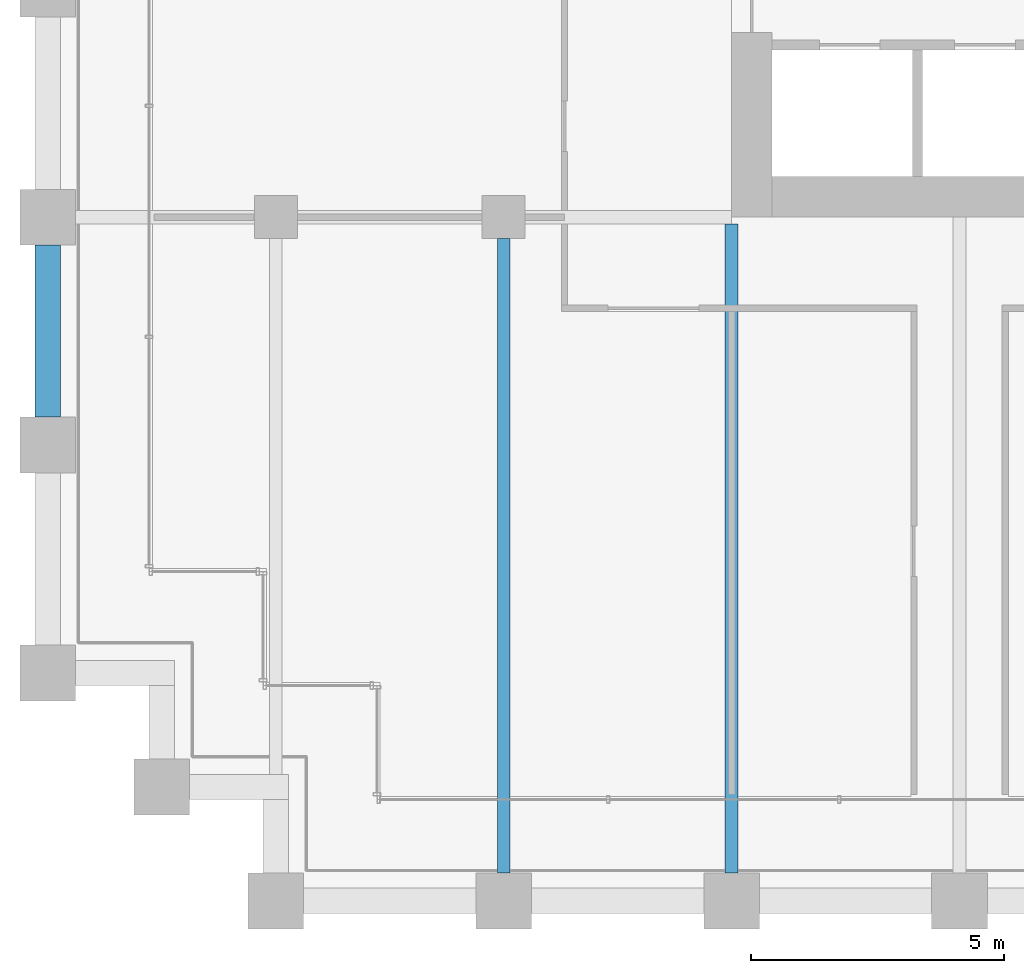
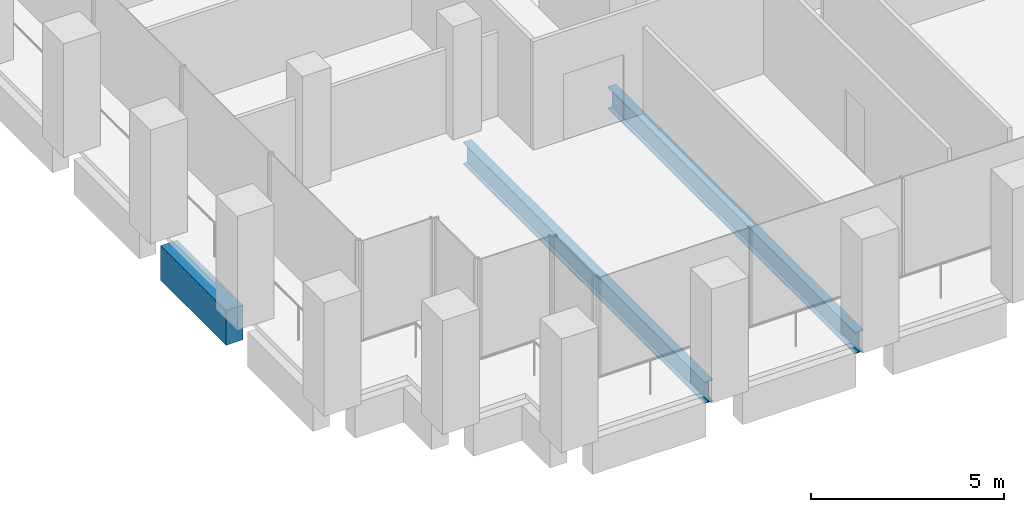
# One storey, part 4 of 56: 3 beams.
"""IFC4 building model written with IfcOpenShell, lengths in metres."""

from ifc_helpers import new_model, si_unit, direction, frame, origin, origin_2d, place, context, subcontext, project, spatial, rectangle, i_section, extrude, material, material_profile, profile_set, type_object, element, save


model = new_model("IFC4")

# Units and contexts
model_context = context("Model", 3, precision=1e-05, world=origin(), true_north=direction((0.0, 1.0)))
body_context = subcontext(model_context, "Body", "Model", "MODEL_VIEW")
ifc_project = project(units=[si_unit("LENGTHUNIT", "METRE"), si_unit("AREAUNIT", "SQUARE_METRE"), si_unit("VOLUMEUNIT", "CUBIC_METRE"), si_unit("PLANEANGLEUNIT", "RADIAN"), si_unit("MASSUNIT", "GRAM", prefix="KILO")], contexts=[model_context])

# Site, building, storey
site_placement = place(None, origin())
site = spatial("IfcSite", under=ifc_project, at=site_placement, CompositionType="ELEMENT")
building_placement = place(site_placement, origin())
building = spatial("IfcBuilding", under=site, at=building_placement, Name="Altepetl Exchange Towers", CompositionType="ELEMENT")
storey_placement = place(building_placement, frame((0.0, 0.0, 69.0)))
storey = spatial("IfcBuildingStorey", under=building, at=storey_placement, Name="L16", CompositionType="ELEMENT", Elevation=69.0)

# Beams
ifc_material_1 = material(Name="Steel S355", Category="steel")
ifc_material_profile_1 = material_profile(ifc_material_1, i_section(OverallWidth=0.25390625, OverallDepth=0.68408203125, WebThickness=0.012451171875, FlangeThickness=0.018798828125, at=origin_2d()), Name="W27X94")
ifc_profile_set_1 = profile_set([ifc_material_profile_1], Name="Steel S355")
beam_type_1 = type_object("IfcBeamType", Name="Floor beam W27X94", PredefinedType="BEAM", material=ifc_profile_set_1)
beam_1_placement = place(storey_placement, frame((36.0, 27.550048828125, -0.491943359375), z_axis=(0.0, 1.0, 0.0), x_axis=(-1.0, 0.0, 0.0)))
element("IfcBeam", 1, at=beam_1_placement, inside=storey, type_object=beam_type_1, Name="bm:A:L16:013", PredefinedType="BEAM", context=body_context, shape_type="SweptSolid", body=[
    extrude(i_section(OverallWidth=0.25390625, OverallDepth=0.68408203125, WebThickness=0.012451171875, FlangeThickness=0.018798828125, at=origin_2d()), origin(), (0.0, 0.0, 1.0), 12.52490234375),
])
beam_2_placement = place(storey_placement, frame((40.5, 27.550048828125, -0.491943359375), z_axis=(0.0, 1.0, 0.0), x_axis=(-1.0, 0.0, 0.0)))
element("IfcBeam", 2, at=beam_2_placement, inside=storey, type_object=beam_type_1, Name="bm:A:L16:014", PredefinedType="BEAM", context=body_context, shape_type="SweptSolid", body=[
    extrude(i_section(OverallWidth=0.25390625, OverallDepth=0.68408203125, WebThickness=0.012451171875, FlangeThickness=0.018798828125, at=origin_2d()), origin(), (0.0, 0.0, 1.0), 12.81591796875),
])
ifc_material_2 = material(Name="Concrete C50/60 precast with cantera blanca facing", Category="concrete")
ifc_material_profile_2 = material_profile(ifc_material_2, rectangle(XDim=0.5, YDim=1.10009765625, at=origin_2d()), Name="500 x 1100")
ifc_profile_set_2 = profile_set([ifc_material_profile_2], Name="Concrete C50/60 precast with cantera blanca facing")
beam_type_2 = type_object("IfcBeamType", Name="Spandrel beam 500x1100 cantera blanca", PredefinedType="SPANDREL", material=ifc_profile_set_2)
beam_3_placement = place(storey_placement, frame((27.0, 39.949951171875, -0.699951171875), z_axis=(0.0, -1.0, 0.0), x_axis=(1.0, 0.0, 0.0)))
element("IfcBeam", 3, at=beam_3_placement, inside=storey, type_object=beam_type_2, Name="sp:A:L16:042", PredefinedType="SPANDREL", context=body_context, shape_type="SweptSolid", body=[
    extrude(rectangle(XDim=0.5, YDim=1.10009765625, at=origin_2d()), origin(), (0.0, 0.0, 1.0), 3.39990234375),
])

save(model, "model.ifc")
